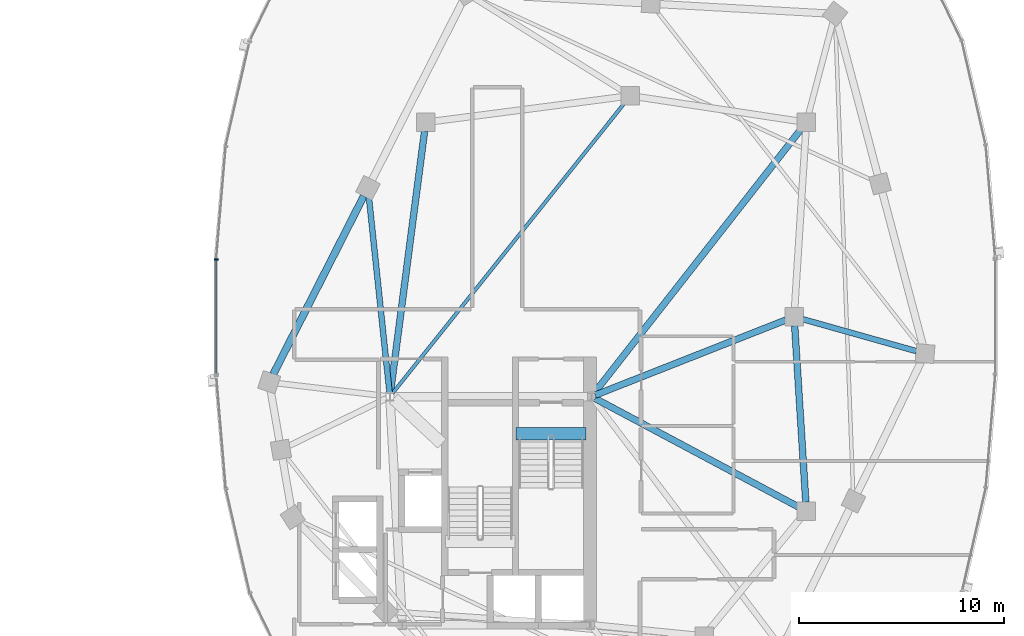
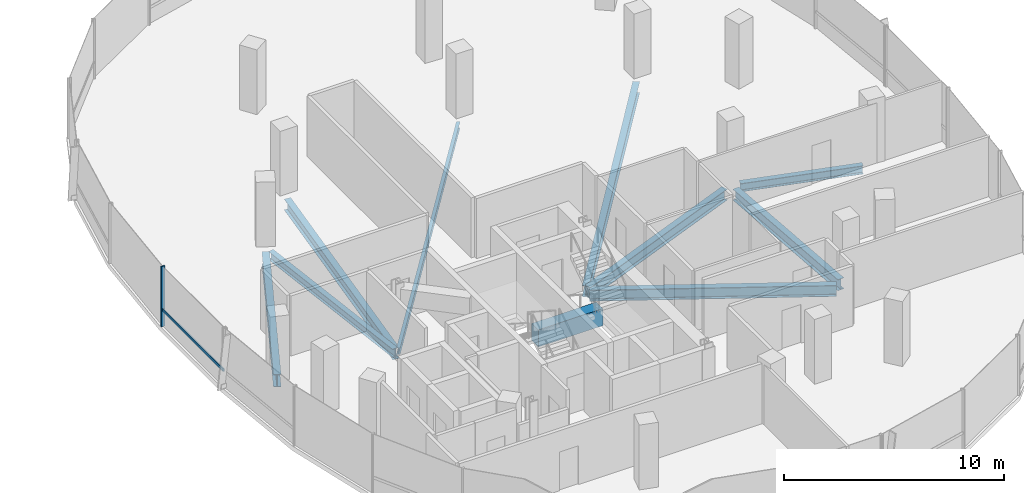
# One storey, part 9 of 25: 10 beams, 2 members, 1 element without a shape of its own.
"""IFC4 building model written with IfcOpenShell, lengths in metres."""

from ifc_helpers import new_model, si_unit, direction, frame, origin, origin_2d, place, context, subcontext, project, spatial, rectangle, i_section, extrude, material, material_profile, profile_set, type_object, element, aggregate, save


model = new_model("IFC4")

# Units and contexts
model_context = context("Model", 3, precision=1e-05, world=origin(), true_north=direction((0.0, 1.0)))
body_context = subcontext(model_context, "Body", "Model", "MODEL_VIEW")
ifc_project = project(units=[si_unit("LENGTHUNIT", "METRE"), si_unit("AREAUNIT", "SQUARE_METRE"), si_unit("VOLUMEUNIT", "CUBIC_METRE"), si_unit("PLANEANGLEUNIT", "RADIAN"), si_unit("MASSUNIT", "GRAM", prefix="KILO"), si_unit("THERMODYNAMICTEMPERATUREUNIT", "KELVIN"), si_unit("POWERUNIT", "WATT")], contexts=[model_context])

# Site, building, storey
site_placement = place(None, origin())
site = spatial("IfcSite", under=ifc_project, at=site_placement, CompositionType="ELEMENT")
building_placement = place(site_placement, origin())
building = spatial("IfcBuilding", under=site, at=building_placement, Name="Cundina Bronze Exchange", CompositionType="ELEMENT")
storey_placement = place(building_placement, frame((0.0, 0.0, 199.0)))
storey = spatial("IfcBuildingStorey", under=building, at=storey_placement, Name="L52", CompositionType="ELEMENT", Elevation=199.0)

# Beams
ifc_material_1 = material(Name="Concrete C60/75", Category="concrete")
ifc_material_profile_1 = material_profile(ifc_material_1, rectangle(XDim=0.60009765625, YDim=0.949951171875, at=origin_2d()), Name="RC600X950", Category="concrete")
ifc_profile_set_1 = profile_set([ifc_material_profile_1], Name="Concrete C60/75")
beam_type_1 = type_object("IfcBeamType", Name="BM-COUP-RC950", PredefinedType="LINTEL", material=ifc_profile_set_1)
beam_1_placement = place(storey_placement, frame((27.6201171875, -5.719970703125, -0.47509765625), z_axis=(1.0, 0.0, 0.0), x_axis=(0.0, 1.0, 0.0)))
element("IfcBeam", 1, at=beam_1_placement, inside=storey, type_object=beam_type_1, Name="L52 Stair E1 Landing Header Beam", PredefinedType="LINTEL", context=body_context, shape_type="SweptSolid", body=[
    extrude(rectangle(XDim=0.60009765625, YDim=0.949951171875, at=origin_2d()), origin(), (0.0, 0.0, 1.0), 3.39990234375),
])
ifc_material_2 = material(Name="Steel ASTM A992 Grade 50", Category="steel")
ifc_material_profile_2 = material_profile(ifc_material_2, i_section(OverallWidth=0.280029296875, OverallDepth=0.462890625, WebThickness=0.0107421875, FlangeThickness=0.017333984375, FilletRadius=0.011962890625, at=origin_2d()), Name="W18X76", Category="steel")
ifc_profile_set_2 = profile_set([ifc_material_profile_2], Name="Steel ASTM A992 Grade 50")
beam_type_2 = type_object("IfcBeamType", Name="BM-FLR-W18A", PredefinedType="BEAM", material=ifc_profile_set_2)
beam_2_placement = place(storey_placement, frame((41.62158203125, -0.11865234375, -0.491455078125), z_axis=(0.96265679604, -0.270724755127, 0.0), x_axis=(0.270724755127, 0.96265679604, 0.0)))
element("IfcBeam", 2, at=beam_2_placement, inside=storey, type_object=beam_type_2, Name="L52 Leg E Chordal Floor Beam 08", PredefinedType="BEAM", context=body_context, shape_type="SweptSolid", body=[
    extrude(i_section(OverallWidth=0.280029296875, OverallDepth=0.462890625, WebThickness=0.0107421875, FlangeThickness=0.017333984375, FilletRadius=0.011962890625, at=origin_2d()), origin(), (0.0, 0.0, 1.0), 5.7724609375),
])
beam_3_placement = place(storey_placement, frame((21.429443359375, -3.705078125, -0.491455078125), z_axis=(-0.104810251666, 0.994492237851, 0.0), x_axis=(-0.994492237851, -0.104810251666, 0.0)))
element("IfcBeam", 3, at=beam_3_placement, inside=storey, type_object=beam_type_2, Name="L52 Leg E Chordal Floor Beam 13", PredefinedType="BEAM", context=body_context, shape_type="SweptSolid", body=[
    extrude(i_section(OverallWidth=0.280029296875, OverallDepth=0.462890625, WebThickness=0.0107421875, FlangeThickness=0.017333984375, FilletRadius=0.011962890625, at=origin_2d()), origin(), (0.0, 0.0, 1.0), 9.62255859375),
])
ifc_material_profile_3 = material_profile(ifc_material_2, i_section(OverallWidth=0.172119140625, OverallDepth=0.35791015625, WebThickness=0.0078125, FlangeThickness=0.01318359375, FilletRadius=0.010009765625, at=origin_2d()), Name="W14X38", Category="steel")
ifc_profile_set_3 = profile_set([ifc_material_profile_3], Name="Steel ASTM A992 Grade 50")
beam_type_3 = type_object("IfcBeamType", Name="BM-JST-W14", PredefinedType="JOIST", material=ifc_profile_set_3)
beam_4_placement = place(storey_placement, frame((21.572509765625, -3.746826171875, -0.43896484375), z_axis=(0.624364266872, 0.781133319129, 0.0), x_axis=(-0.781133319129, 0.624364266872, 0.0)))
element("IfcBeam", 4, at=beam_4_placement, inside=storey, type_object=beam_type_3, Name="L52 E Interior Core-to-Ring Joist 2", PredefinedType="JOIST", context=body_context, shape_type="SweptSolid", body=[
    extrude(i_section(OverallWidth=0.172119140625, OverallDepth=0.35791015625, WebThickness=0.0078125, FlangeThickness=0.01318359375, FilletRadius=0.010009765625, at=origin_2d()), origin(), (0.0, 0.0, 1.0), 18.184814453125),
])
ifc_material_profile_4 = material_profile(ifc_material_2, i_section(OverallWidth=0.324951171875, OverallDepth=0.615966796875, WebThickness=0.013916015625, FlangeThickness=0.021484375, FilletRadius=0.01611328125, at=origin_2d()), Name="W24X117", Category="steel")
ifc_profile_set_4 = profile_set([ifc_material_profile_4], Name="Steel ASTM A992 Grade 50")
beam_type_4 = type_object("IfcBeamType", Name="BM-RING-W24", PredefinedType="USERDEFINED", material=ifc_profile_set_4)
beam_5_placement = place(storey_placement, frame((41.7724609375, -9.06298828125, -0.568115234375), z_axis=(-0.063046519736, 0.998010589297, 0.0), x_axis=(-0.998010589297, -0.063046519736, 0.0)))
element("IfcBeam", 5, at=beam_5_placement, inside=storey, type_object=beam_type_4, Name="L52 E Inner Structural Ring Girder 03", ObjectType="GIRDER", PredefinedType="USERDEFINED", context=body_context, shape_type="SweptSolid", body=[
    extrude(i_section(OverallWidth=0.324951171875, OverallDepth=0.615966796875, WebThickness=0.013916015625, FlangeThickness=0.021484375, FilletRadius=0.01611328125, at=origin_2d()), origin(), (0.0, 0.0, 1.0), 8.64306640625),
])
beam_6_placement = place(storey_placement, frame((23.143310546875, 9.065673828125, -0.568115234375), z_axis=(-0.129501251979, -0.991579258424, 0.0), x_axis=(0.991579258424, -0.129501251979, 0.0)))
element("IfcBeam", 6, at=beam_6_placement, inside=storey, type_object=beam_type_4, Name="L52 E Inner Structural Ring Girder 07", ObjectType="GIRDER", PredefinedType="USERDEFINED", context=body_context, shape_type="SweptSolid", body=[
    extrude(i_section(OverallWidth=0.324951171875, OverallDepth=0.615966796875, WebThickness=0.013916015625, FlangeThickness=0.021484375, FilletRadius=0.01611328125, at=origin_2d()), origin(), (0.0, 0.0, 1.0), 12.8798828125),
])
beam_7_placement = place(storey_placement, frame((31.482421875, -3.828125, -0.568115234375), z_axis=(0.930404106569, 0.366535398673, 0.0), x_axis=(-0.366535398673, 0.930404106569, 0.0)))
element("IfcBeam", 7, at=beam_7_placement, inside=storey, type_object=beam_type_4, Name="L52 E Core-to-Waist Tie Beam 1", ObjectType="GIRDER", PredefinedType="USERDEFINED", context=body_context, shape_type="SweptSolid", body=[
    extrude(i_section(OverallWidth=0.324951171875, OverallDepth=0.615966796875, WebThickness=0.013916015625, FlangeThickness=0.021484375, FilletRadius=0.01611328125, at=origin_2d()), origin(), (0.0, 0.0, 1.0), 10.00634765625),
])
beam_8_placement = place(storey_placement, frame((31.472900390625, -3.9921875, -0.568115234375), z_axis=(0.882350541683, -0.470592734317, 0.0), x_axis=(0.470592734317, 0.882350541683, 0.0)))
element("IfcBeam", 8, at=beam_8_placement, inside=storey, type_object=beam_type_4, Name="L52 E Core-to-Waist Tie Beam 2", ObjectType="GIRDER", PredefinedType="USERDEFINED", context=body_context, shape_type="SweptSolid", body=[
    extrude(i_section(OverallWidth=0.324951171875, OverallDepth=0.615966796875, WebThickness=0.013916015625, FlangeThickness=0.021484375, FilletRadius=0.01611328125, at=origin_2d()), origin(), (0.0, 0.0, 1.0), 11.26611328125),
])
beam_9_placement = place(storey_placement, frame((31.4208984375, -3.74560546875, -0.568115234375), z_axis=(0.616782900053, 0.787133314123, 0.0), x_axis=(-0.787133314123, 0.616782900053, 0.0)))
element("IfcBeam", 9, at=beam_9_placement, inside=storey, type_object=beam_type_4, Name="L52 E Core-to-Waist Tie Beam 3", ObjectType="GIRDER", PredefinedType="USERDEFINED", context=body_context, shape_type="SweptSolid", body=[
    extrude(i_section(OverallWidth=0.324951171875, OverallDepth=0.615966796875, WebThickness=0.013916015625, FlangeThickness=0.021484375, FilletRadius=0.01611328125, at=origin_2d()), origin(), (0.0, 0.0, 1.0), 16.3896484375),
])
ifc_material_profile_5 = material_profile(ifc_material_2, i_section(OverallWidth=0.35498046875, OverallDepth=0.695068359375, WebThickness=0.015380859375, FlangeThickness=0.02490234375, FilletRadius=0.01806640625, at=origin_2d()), Name="W27X146", Category="steel")
ifc_profile_set_5 = profile_set([ifc_material_profile_5], Name="Steel ASTM A992 Grade 50")
beam_type_5 = type_object("IfcBeamType", Name="BM-RING-W27", PredefinedType="USERDEFINED", material=ifc_profile_set_5)
beam_10_placement = place(storey_placement, frame((20.1767578125, 5.909423828125, -0.607421875), z_axis=(-0.452846871434, -0.891588308039, 0.0), x_axis=(0.891588308039, -0.452846871434, 0.0)))
element("IfcBeam", 10, at=beam_10_placement, inside=storey, type_object=beam_type_5, Name="L52 E Perimeter Ring Girder 13", ObjectType="GIRDER", PredefinedType="USERDEFINED", context=body_context, shape_type="SweptSolid", body=[
    extrude(i_section(OverallWidth=0.35498046875, OverallDepth=0.695068359375, WebThickness=0.015380859375, FlangeThickness=0.02490234375, FilletRadius=0.01806640625, at=origin_2d()), origin(), (0.0, 0.0, 1.0), 9.779052734375),
])

# Curtain wall, members
ifc_material_3 = material(Name="Anodised Bronze Aluminium 6063-T6", Category="aluminium")
curtain_wall_type = type_object("IfcCurtainWallType", Name="CWS-UPP-OFF", PredefinedType="NOTDEFINED", material=ifc_material_3)
curtain_wall_placement = place(storey_placement, origin())
curtain_wall = element("IfcCurtainWall", 11, at=curtain_wall_placement, inside=storey, type_object=curtain_wall_type, Name="L52 CW-05 Curtain Wall Run CWR-L52-E2", PredefinedType="NOTDEFINED")
ifc_material_profile_6 = material_profile(ifc_material_3, rectangle(XDim=0.070068359375, YDim=0.18994140625, at=origin_2d()), Name="AL70X190", Category="aluminium")
ifc_profile_set_6 = profile_set([ifc_material_profile_6], Name="Anodised Bronze Aluminium 6063-T6")
member_type_1 = type_object("IfcMemberType", Name="CWM-MUL-190", PredefinedType="MULLION", material=ifc_profile_set_6)
member_1_placement = place(storey_placement, frame((12.966064453125, 2.794921875, 0.0), z_axis=(0.0, 0.0, 1.0), x_axis=(0.0, -1.0, 0.0)))
member_1 = element("IfcMember", 12, at=member_1_placement, type_object=member_type_1, Name="CW-05 Mullion 7", PredefinedType="MULLION", context=body_context, shape_type="SweptSolid", body=[
    extrude(rectangle(XDim=0.070068359375, YDim=0.18994140625, at=origin_2d()), origin(), (0.0, 0.0, 1.0), 3.340087890625),
])
ifc_material_profile_7 = material_profile(ifc_material_3, rectangle(XDim=0.06494140625, YDim=0.14990234375, at=origin_2d()), Name="AL65X150", Category="aluminium")
ifc_profile_set_7 = profile_set([ifc_material_profile_7], Name="Anodised Bronze Aluminium 6063-T6")
member_type_2 = type_object("IfcMemberType", Name="CWM-TRN-150", PredefinedType="USERDEFINED", material=ifc_profile_set_7)
member_2_placement = place(storey_placement, frame((12.966064453125, 2.756591796875, 0.919921875), z_axis=(0.0, -1.0, 0.0), x_axis=(1.0, 0.0, 0.0)))
member_2 = element("IfcMember", 13, at=member_2_placement, type_object=member_type_2, Name="CW-05 Spandrel Transom 7", ObjectType="TRANSOM", PredefinedType="USERDEFINED", context=body_context, shape_type="SweptSolid", body=[
    extrude(rectangle(XDim=0.06494140625, YDim=0.14990234375, at=origin_2d()), origin(), (0.0, 0.0, 1.0), 5.51318359375),
])
aggregate(curtain_wall, [member_1, member_2])

save(model, "model.ifc")
